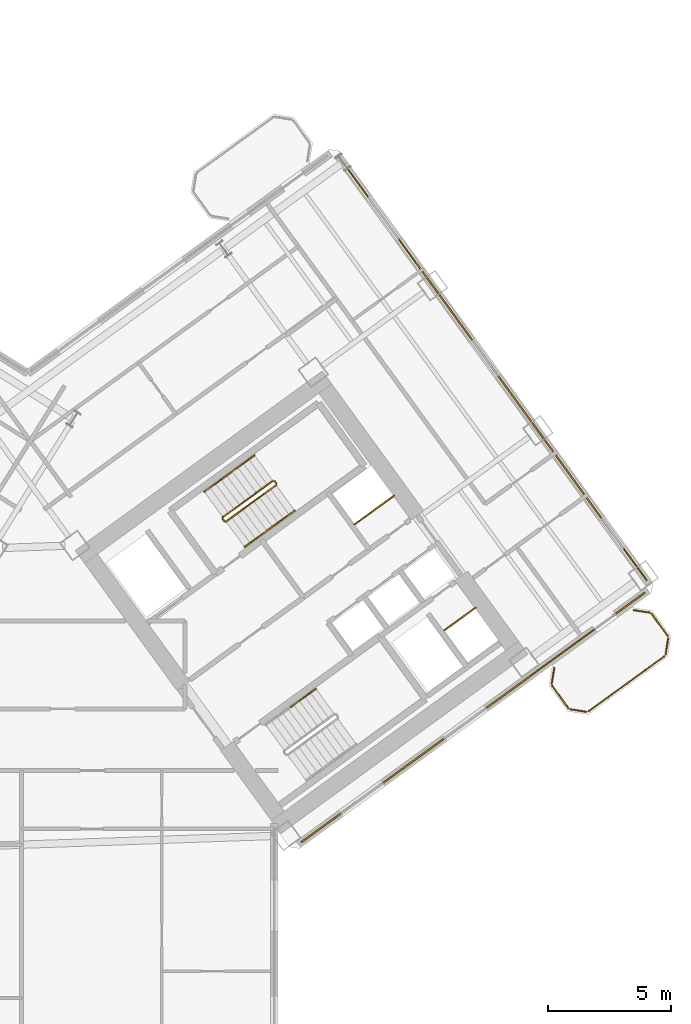
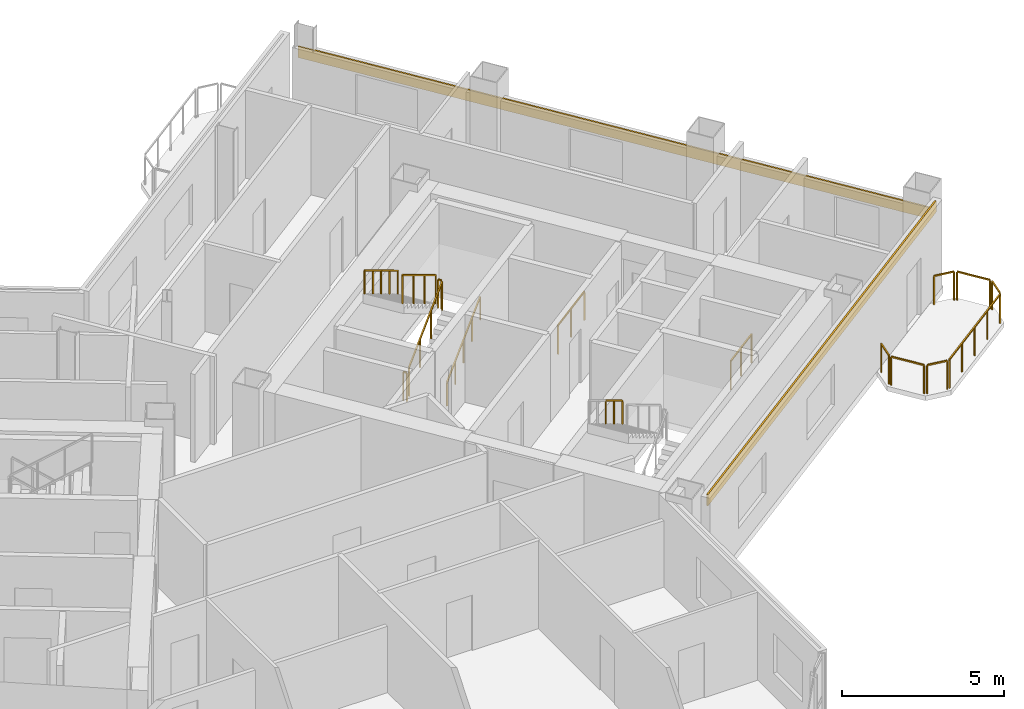
# One storey, part 21 of 22: 18 railings, 2 coverings.
"""IFC4 building model written with IfcOpenShell, lengths in metres."""

from ifc_helpers import new_model, si_unit, direction, frame, origin, origin_2d, place, context, subcontext, project, spatial, rectangle, extrude, source, transform, mapped, material, layer, layer_set, type_object, element, save


model = new_model("IFC4")

# Units and contexts
model_context = context("Model", 3, precision=1e-05, world=origin(), true_north=direction((0.0, 1.0)))
body_context = subcontext(model_context, "Body", "Model", "MODEL_VIEW")
ifc_project = project(units=[si_unit("LENGTHUNIT", "METRE"), si_unit("AREAUNIT", "SQUARE_METRE"), si_unit("VOLUMEUNIT", "CUBIC_METRE"), si_unit("PLANEANGLEUNIT", "RADIAN"), si_unit("MASSUNIT", "GRAM", prefix="KILO")], contexts=[model_context])

# Site, building, storey
site_placement = place(None, origin())
site = spatial("IfcSite", under=ifc_project, at=site_placement, CompositionType="ELEMENT")
building_placement = place(site_placement, origin())
building = spatial("IfcBuilding", under=site, at=building_placement, Name="Tlacorven Tower", CompositionType="ELEMENT")
storey_placement = place(building_placement, frame((0.0, 0.0, 97.199951171875)))
storey = spatial("IfcBuildingStorey", under=building, at=storey_placement, Name="L24", CompositionType="ELEMENT", Elevation=97.199951171875)

# Railings
ifc_material_1 = material(Name="Aluminium and painted steel balustrade", Category="steel")
railing_type_1 = type_object("IfcRailingType", Name="RL-GRD-1100", PredefinedType="GUARDRAIL", material=ifc_material_1)
shared_shape_1 = source(origin(), body_context, "Body", "SweptSolid", [
    extrude(rectangle(XDim=0.048095703125, YDim=0.048095703125, at=origin_2d()), frame((0.0, 0.0, 1.076171875), z_axis=(0.808947177504, 0.587881334972, 0.0), x_axis=(-0.587881334972, 0.808947177504, 0.0)), (0.0, 0.0, 1.0), 2.0),
    extrude(rectangle(XDim=0.0419921875, YDim=0.0419921875, at=origin_2d()), origin(), (0.0, 0.0, 1.0), 1.052001953125),
    extrude(rectangle(XDim=0.0419921875, YDim=0.0419921875, at=origin_2d()), frame((0.80908203125, 0.587890625, 0.0)), (0.0, 0.0, 1.0), 1.052001953125),
    extrude(rectangle(XDim=0.0419921875, YDim=0.0419921875, at=origin_2d()), frame((1.617919921875, 1.17578125, 0.0)), (0.0, 0.0, 1.0), 1.052001953125),
])
railing_1_placement = place(storey_placement, frame((55.506103515625, 25.438232421875, 0.0)))
element("IfcRailing", 1, at=railing_1_placement, inside=storey, type_object=railing_type_1, Name="L24 Electrical Riser E Shaft Guard 1", PredefinedType="GUARDRAIL", context=body_context, shape_type="MappedRepresentation", body=[
    mapped(shared_shape_1, transform((0.0, 0.0, 0.0), scale=1.0)),
])
shared_shape_2 = source(origin(), body_context, "Body", "SweptSolid", [
    extrude(rectangle(XDim=0.048095703125, YDim=0.048095703125, at=origin_2d()), frame((0.0, 0.0, 1.076171875), z_axis=(0.809029975545, 0.58776738483, 0.0), x_axis=(-0.58776738483, 0.809029975545, 0.0)), (0.0, 0.0, 1.0), 1.580078125),
    extrude(rectangle(XDim=0.0419921875, YDim=0.0419921875, at=origin_2d()), origin(), (0.0, 0.0, 1.0), 1.052001953125),
    extrude(rectangle(XDim=0.0419921875, YDim=0.0419921875, at=origin_2d()), frame((0.63916015625, 0.46435546875, 0.0)), (0.0, 0.0, 1.0), 1.052001953125),
    extrude(rectangle(XDim=0.0419921875, YDim=0.0419921875, at=origin_2d()), frame((1.2783203125, 0.9287109375, 0.0)), (0.0, 0.0, 1.0), 1.052001953125),
])
railing_2_placement = place(storey_placement, frame((59.160888671875, 21.122314453125, 0.0)))
element("IfcRailing", 2, at=railing_2_placement, inside=storey, type_object=railing_type_1, Name="L24 Smoke Riser E Shaft Guard 1", PredefinedType="GUARDRAIL", context=body_context, shape_type="MappedRepresentation", body=[
    mapped(shared_shape_2, transform((0.0, 0.0, 0.0), scale=1.0)),
])
railing_type_2 = type_object("IfcRailingType", Name="RL-BAL-1100", PredefinedType="BALUSTRADE", material=ifc_material_1)
shared_shape_3 = source(origin(), body_context, "Body", "SweptSolid", [
    extrude(rectangle(XDim=0.048095703125, YDim=0.048095703125, at=origin_2d()), frame((0.0, 0.0, 1.076171875), z_axis=(0.156602868908, 0.987661653326, 0.0), x_axis=(-0.987661653326, 0.156602868908, 0.0)), (0.0, 0.0, 1.0), 0.665771484375),
    extrude(rectangle(XDim=0.0419921875, YDim=0.0419921875, at=origin_2d()), origin(), (0.0, 0.0, 1.0), 1.052001953125),
    extrude(rectangle(XDim=0.0419921875, YDim=0.0419921875, at=origin_2d()), frame((0.104248046875, 0.657470703125, 0.0)), (0.0, 0.0, 1.0), 1.052001953125),
])
railing_3_placement = place(storey_placement, frame((63.539306640625, 18.949951171875, 0.0)))
element("IfcRailing", 3, at=railing_3_placement, inside=storey, type_object=railing_type_2, Name="BAL-L24-E-OUT Guard Railing 3", PredefinedType="BALUSTRADE", context=body_context, shape_type="MappedRepresentation", body=[
    mapped(shared_shape_3, transform((0.0, 0.0, 0.0), scale=1.0)),
])
shared_shape_4 = source(origin(), body_context, "Body", "SweptSolid", [
    extrude(rectangle(XDim=0.048095703125, YDim=0.048095703125, at=origin_2d()), frame((0.0, 0.0, 1.076171875), z_axis=(0.58788449985, -0.808944877501, 0.0), x_axis=(0.808944877501, 0.58788449985, 0.0)), (0.0, 0.0, 1.0), 1.112060546875),
    extrude(rectangle(XDim=0.0419921875, YDim=0.0419921875, at=origin_2d()), origin(), (0.0, 0.0, 1.0), 1.052001953125),
    extrude(rectangle(XDim=0.0419921875, YDim=0.0419921875, at=origin_2d()), frame((0.65380859375, -0.899658203125, 0.0)), (0.0, 0.0, 1.0), 1.052001953125),
])
railing_4_placement = place(storey_placement, frame((67.60595703125, 21.799072265625, 0.0)))
element("IfcRailing", 4, at=railing_4_placement, inside=storey, type_object=railing_type_2, Name="BAL-L24-E-OUT Guard Railing 5", PredefinedType="BALUSTRADE", context=body_context, shape_type="MappedRepresentation", body=[
    mapped(shared_shape_4, transform((0.0, 0.0, 0.0), scale=1.0)),
])
shared_shape_5 = source(origin(), body_context, "Body", "SweptSolid", [
    extrude(rectangle(XDim=0.048095703125, YDim=0.048095703125, at=origin_2d()), frame((0.0, 0.0, 1.076171875), z_axis=(-0.809018102573, -0.587783726986, 0.0), x_axis=(0.587783726986, -0.809018102573, 0.0)), (0.0, 0.0, 1.0), 3.817138671875),
    extrude(rectangle(XDim=0.0419921875, YDim=0.0419921875, at=origin_2d()), origin(), (0.0, 0.0, 1.0), 1.052001953125),
    extrude(rectangle(XDim=0.0419921875, YDim=0.0419921875, at=origin_2d()), frame((-0.77197265625, -0.56103515625, 0.0)), (0.0, 0.0, 1.0), 1.052001953125),
    extrude(rectangle(XDim=0.0419921875, YDim=0.0419921875, at=origin_2d()), frame((-1.5439453125, -1.121826171875, 0.0)), (0.0, 0.0, 1.0), 1.052001953125),
    extrude(rectangle(XDim=0.0419921875, YDim=0.0419921875, at=origin_2d()), frame((-2.316162109375, -1.6826171875, 0.0)), (0.0, 0.0, 1.0), 1.052001953125),
    extrude(rectangle(XDim=0.0419921875, YDim=0.0419921875, at=origin_2d()), frame((-3.088134765625, -2.24365234375, 0.0)), (0.0, 0.0, 1.0), 1.052001953125),
])
railing_5_placement = place(storey_placement, frame((68.12890625, 20.0732421875, 0.0)))
element("IfcRailing", 5, at=railing_5_placement, inside=storey, type_object=railing_type_2, Name="BAL-L24-E-OUT Guard Railing 7", PredefinedType="BALUSTRADE", context=body_context, shape_type="MappedRepresentation", body=[
    mapped(shared_shape_5, transform((0.0, 0.0, 0.0), scale=1.0)),
])
shared_shape_6 = source(origin(), body_context, "Body", "SweptSolid", [
    extrude(rectangle(XDim=0.048095703125, YDim=0.048095703125, at=origin_2d()), frame((0.0, 0.0, 1.076171875), z_axis=(-0.987718317463, 0.156245081039, 0.0), x_axis=(-0.156245081039, -0.987718317463, 0.0)), (0.0, 0.0, 1.0), 0.66552734375),
    extrude(rectangle(XDim=0.0419921875, YDim=0.0419921875, at=origin_2d()), origin(), (0.0, 0.0, 1.0), 1.052001953125),
    extrude(rectangle(XDim=0.0419921875, YDim=0.0419921875, at=origin_2d()), frame((-0.657470703125, 0.10400390625, 0.0)), (0.0, 0.0, 1.0), 1.052001953125),
])
railing_6_placement = place(storey_placement, frame((64.950927734375, 17.80810546875, 0.0)))
element("IfcRailing", 6, at=railing_6_placement, inside=storey, type_object=railing_type_2, Name="BAL-L24-E-OUT Guard Railing 1", PredefinedType="BALUSTRADE", context=body_context, shape_type="MappedRepresentation", body=[
    mapped(shared_shape_6, transform((0.0, 0.0, 0.0), scale=1.0)),
])
shared_shape_7 = source(origin(), body_context, "Body", "SweptSolid", [
    extrude(rectangle(XDim=0.048095703125, YDim=0.048095703125, at=origin_2d()), frame((0.0, 0.0, 1.076171875), z_axis=(-0.587740817519, 0.809049276263, 0.0), x_axis=(-0.809049276263, -0.587740817519, 0.0)), (0.0, 0.0, 1.0), 1.112060546875),
    extrude(rectangle(XDim=0.0419921875, YDim=0.0419921875, at=origin_2d()), origin(), (0.0, 0.0, 1.0), 1.052001953125),
    extrude(rectangle(XDim=0.0419921875, YDim=0.0419921875, at=origin_2d()), frame((-0.653564453125, 0.899658203125, 0.0)), (0.0, 0.0, 1.0), 1.052001953125),
])
railing_7_placement = place(storey_placement, frame((64.214599609375, 17.96044921875, 0.0)))
element("IfcRailing", 7, at=railing_7_placement, inside=storey, type_object=railing_type_2, Name="BAL-L24-E-OUT Guard Railing 2", PredefinedType="BALUSTRADE", context=body_context, shape_type="MappedRepresentation", body=[
    mapped(shared_shape_7, transform((0.0, 0.0, 0.0), scale=1.0)),
])
shared_shape_8 = source(origin(), body_context, "Body", "SweptSolid", [
    extrude(rectangle(XDim=0.048095703125, YDim=0.048095703125, at=origin_2d()), frame((0.0, 0.0, 1.076171875), z_axis=(-0.156245081039, -0.987718317463, 0.0), x_axis=(0.987718317463, -0.156245081039, 0.0)), (0.0, 0.0, 1.0), 0.66552734375),
    extrude(rectangle(XDim=0.0419921875, YDim=0.0419921875, at=origin_2d()), origin(), (0.0, 0.0, 1.0), 1.052001953125),
    extrude(rectangle(XDim=0.0419921875, YDim=0.0419921875, at=origin_2d()), frame((-0.10400390625, -0.657470703125, 0.0)), (0.0, 0.0, 1.0), 1.052001953125),
])
railing_8_placement = place(storey_placement, frame((68.28125, 20.8095703125, 0.0)))
element("IfcRailing", 8, at=railing_8_placement, inside=storey, type_object=railing_type_2, Name="BAL-L24-E-OUT Guard Railing 6", PredefinedType="BALUSTRADE", context=body_context, shape_type="MappedRepresentation", body=[
    mapped(shared_shape_8, transform((0.0, 0.0, 0.0), scale=1.0)),
])

# Coverings
ifc_material_2 = material(Name="Precast concrete C45/55", Category="concrete")
ifc_layer = layer(ifc_material_2, 0.06005859375)
ifc_layer_set = layer_set([ifc_layer], Name="Precast concrete C45/55")
covering_type = type_object("IfcCoveringType", Name="CV-CLD-TERC", PredefinedType="CLADDING", material=ifc_layer_set)
shared_shape_9 = source(origin(), body_context, "Body", "SweptSolid", [
    extrude(rectangle(XDim=21.287353515625, YDim=0.06005859375, at=origin_2d()), origin(), (0.0, 0.0, 1.0), 0.419921875),
])
covering_1_placement = place(storey_placement, frame((61.15478515625, 31.767333984375, 2.3251953125), z_axis=(0.0, 0.0, 1.0), x_axis=(0.587785363163, -0.809016913823, 0.0)))
element("IfcCovering", 9, at=covering_1_placement, inside=storey, type_object=covering_type, Name="L24 Masonry-Frame Spandrel Cladding 5", PredefinedType="CLADDING", context=body_context, shape_type="MappedRepresentation", body=[
    mapped(shared_shape_9, transform((0.0, 0.0, 0.0), scale=1.0)),
])
shared_shape_10 = source(origin(), body_context, "Body", "SweptSolid", [
    extrude(rectangle(XDim=17.287353515625, YDim=0.06005859375, at=origin_2d()), origin(), (0.0, 0.0, 1.0), 0.419921875),
])
covering_2_placement = place(storey_placement, frame((60.339111328125, 17.578125, 2.900146484375), z_axis=(0.0, 0.0, 1.0), x_axis=(-0.809016829126, -0.587785479738, 0.0)))
element("IfcCovering", 10, at=covering_2_placement, inside=storey, type_object=covering_type, Name="L24 Masonry-Frame Spandrel Cladding 6", PredefinedType="CLADDING", context=body_context, shape_type="MappedRepresentation", body=[
    mapped(shared_shape_10, transform((0.0, 0.0, 0.0), scale=1.0)),
])

# Railings
shared_shape_11 = source(origin(), body_context, "Body", "SweptSolid", [
    extrude(rectangle(XDim=0.048095703125, YDim=0.048095703125, at=origin_2d()), frame((0.0, 0.0, 1.076171875), z_axis=(0.987727266442, -0.156188498702, 0.0), x_axis=(0.156188498702, 0.987727266442, 0.0)), (0.0, 0.0, 1.0), 0.665771484375),
    extrude(rectangle(XDim=0.0419921875, YDim=0.0419921875, at=origin_2d()), origin(), (0.0, 0.0, 1.0), 1.052001953125),
    extrude(rectangle(XDim=0.0419921875, YDim=0.0419921875, at=origin_2d()), frame((0.65771484375, -0.10400390625, 0.0)), (0.0, 0.0, 1.0), 1.052001953125),
])
railing_9_placement = place(storey_placement, frame((66.86962890625, 21.951416015625, 0.0)))
element("IfcRailing", 11, at=railing_9_placement, inside=storey, type_object=railing_type_2, Name="BAL-L24-E-OUT Guard Railing 4", PredefinedType="BALUSTRADE", context=body_context, shape_type="MappedRepresentation", body=[
    mapped(shared_shape_11, transform((0.0, 0.0, 0.0), scale=1.0)),
])
shared_shape_12 = source(origin(), body_context, "Body", "SweptSolid", [
    extrude(rectangle(XDim=0.048095703125, YDim=0.048095703125, at=origin_2d()), frame((0.0, 0.0, 1.076171875), z_axis=(-0.587201422542, 0.809440849824, 0.0), x_axis=(-0.809440849824, -0.587201422542, 0.0)), (0.0, 0.0, 1.0), 0.11962890625),
    extrude(rectangle(XDim=0.0419921875, YDim=0.0419921875, at=origin_2d()), origin(), (0.0, 0.0, 1.0), 1.052001953125),
    extrude(rectangle(XDim=0.0419921875, YDim=0.0419921875, at=origin_2d()), frame((-0.0703125, 0.096923828125, 0.0)), (0.0, 0.0, 1.0), 1.052001953125),
])
for number, where, name in (
    (12, (52.326904296875, 27.10888671875, 1.800048828125), "L24 ST-E1 stair guard 2"),
    (13, (50.207275390625, 25.56884765625, 0.0), "L24 ST-E1 stair guard 4"),
):
    element("IfcRailing", number, at=place(storey_placement, frame(where)), inside=storey, type_object=railing_type_1, Name=name, PredefinedType="GUARDRAIL", context=body_context, shape_type="MappedRepresentation", body=[
        mapped(shared_shape_12, transform((0.0, 0.0, 0.0), scale=1.0)),
    ])
shared_shape_13 = source(origin(), body_context, "Body", "SweptSolid", [
    extrude(rectangle(XDim=0.048095703125, YDim=0.048095703125, at=origin_2d()), frame((0.0, 0.0, 1.076171875), z_axis=(0.680488636597, 0.494434078831, 0.540805100894), x_axis=(-0.5878087079, 0.808999952359, 0.0)), (0.0, 0.0, 1.0), 2.995849609375),
    extrude(rectangle(XDim=0.0419921875, YDim=0.0419921875, at=origin_2d()), origin(), (0.0, 0.0, 1.0), 1.052001953125),
    extrude(rectangle(XDim=0.0419921875, YDim=0.0419921875, at=origin_2d()), frame((0.679443359375, 0.49365234375, 0.5400390625)), (0.0, 0.0, 1.0), 1.052001953125),
    extrude(rectangle(XDim=0.0419921875, YDim=0.0419921875, at=origin_2d()), frame((1.359130859375, 0.987548828125, 1.080078125)), (0.0, 0.0, 1.0), 1.052001953125),
    extrude(rectangle(XDim=0.0419921875, YDim=0.0419921875, at=origin_2d()), frame((2.03857421875, 1.481201171875, 1.6201171875)), (0.0, 0.0, 1.0), 1.052001953125),
])
railing_10_placement = place(storey_placement, frame((50.27734375, 25.557861328125, 0.179931640625)))
element("IfcRailing", 14, at=railing_10_placement, inside=storey, type_object=railing_type_1, Name="L24 ST-E1 stair guard 1", PredefinedType="GUARDRAIL", context=body_context, shape_type="MappedRepresentation", body=[
    mapped(shared_shape_13, transform((0.0, 0.0, 0.0), scale=1.0)),
])
shared_shape_14 = source(origin(), body_context, "Body", "SweptSolid", [
    extrude(rectangle(XDim=0.048095703125, YDim=0.048095703125, at=origin_2d()), frame((0.0, 0.0, 1.076171875), z_axis=(-0.680488636597, -0.494434078831, 0.540805100894), x_axis=(0.5878087079, -0.808999952359, 0.0)), (0.0, 0.0, 1.0), 2.995849609375),
    extrude(rectangle(XDim=0.0419921875, YDim=0.0419921875, at=origin_2d()), origin(), (0.0, 0.0, 1.0), 1.052001953125),
    extrude(rectangle(XDim=0.0419921875, YDim=0.0419921875, at=origin_2d()), frame((-0.679443359375, -0.49365234375, 0.5400390625)), (0.0, 0.0, 1.0), 1.052001953125),
    extrude(rectangle(XDim=0.0419921875, YDim=0.0419921875, at=origin_2d()), frame((-1.359130859375, -0.987548828125, 1.080078125)), (0.0, 0.0, 1.0), 1.052001953125),
    extrude(rectangle(XDim=0.0419921875, YDim=0.0419921875, at=origin_2d()), frame((-2.03857421875, -1.481201171875, 1.6201171875)), (0.0, 0.0, 1.0), 1.052001953125),
])
railing_11_placement = place(storey_placement, frame((52.1865234375, 27.217041015625, 1.97998046875)))
element("IfcRailing", 15, at=railing_11_placement, inside=storey, type_object=railing_type_1, Name="L24 ST-E1 stair guard 3", PredefinedType="GUARDRAIL", context=body_context, shape_type="MappedRepresentation", body=[
    mapped(shared_shape_14, transform((0.0, 0.0, 0.0), scale=1.0)),
])
railing_type_3 = type_object("IfcRailingType", Name="RL-HND-0900", PredefinedType="HANDRAIL", material=ifc_material_1)
shared_shape_15 = source(origin(), body_context, "Body", "SweptSolid", [
    extrude(rectangle(XDim=0.048095703125, YDim=0.048095703125, at=origin_2d()), frame((0.0, 0.0, 0.8759765625), z_axis=(0.680516055757, 0.494372502302, 0.540826891737), x_axis=(-0.587745292299, 0.809046025502, 0.0)), (0.0, 0.0, 1.0), 1.497802734375),
    extrude(rectangle(XDim=0.0419921875, YDim=0.0419921875, at=origin_2d()), origin(), (0.0, 0.0, 1.0), 0.851806640625),
    extrude(rectangle(XDim=0.0419921875, YDim=0.0419921875, at=origin_2d()), frame((0.509765625, 0.3701171875, 0.405029296875)), (0.0, 0.0, 1.0), 0.851806640625),
    extrude(rectangle(XDim=0.0419921875, YDim=0.0419921875, at=origin_2d()), frame((1.019287109375, 0.740478515625, 0.81005859375)), (0.0, 0.0, 1.0), 0.851806640625),
])
railing_12_placement = place(storey_placement, frame((51.029541015625, 24.522216796875, 0.179931640625)))
element("IfcRailing", 16, at=railing_12_placement, inside=storey, type_object=railing_type_3, Name="L24 ST-E1 stair handrail 1", PredefinedType="HANDRAIL", context=body_context, shape_type="MappedRepresentation", body=[
    mapped(shared_shape_15, transform((0.0, 0.0, 0.0), scale=1.0)),
])
shared_shape_16 = source(origin(), body_context, "Body", "SweptSolid", [
    extrude(rectangle(XDim=0.048095703125, YDim=0.048095703125, at=origin_2d()), frame((0.0, 0.0, 0.8759765625), z_axis=(0.680548719995, 0.49444080854, 0.540723336433), x_axis=(-0.587779977844, 0.80902082646, 0.0)), (0.0, 0.0, 1.0), 1.498046875),
    extrude(rectangle(XDim=0.0419921875, YDim=0.0419921875, at=origin_2d()), origin(), (0.0, 0.0, 1.0), 0.851806640625),
    extrude(rectangle(XDim=0.0419921875, YDim=0.0419921875, at=origin_2d()), frame((0.509765625, 0.370361328125, 0.405029296875)), (0.0, 0.0, 1.0), 0.851806640625),
    extrude(rectangle(XDim=0.0419921875, YDim=0.0419921875, at=origin_2d()), frame((1.01953125, 0.74072265625, 0.81005859375)), (0.0, 0.0, 1.0), 0.851806640625),
])
railing_13_placement = place(storey_placement, frame((52.048828125, 25.2626953125, 0.989990234375)))
element("IfcRailing", 17, at=railing_13_placement, inside=storey, type_object=railing_type_3, Name="L24 ST-E1 stair handrail 2", PredefinedType="HANDRAIL", context=body_context, shape_type="MappedRepresentation", body=[
    mapped(shared_shape_16, transform((0.0, 0.0, 0.0), scale=1.0)),
])
shared_shape_17 = source(origin(), body_context, "Body", "SweptSolid", [
    extrude(rectangle(XDim=0.048095703125, YDim=0.048095703125, at=origin_2d()), frame((0.0, 0.0, 0.8759765625), z_axis=(-0.680603554404, -0.494317667746, 0.540766904577), x_axis=(0.587653156371, -0.809112951205, 0.0)), (0.0, 0.0, 1.0), 1.498046875),
    extrude(rectangle(XDim=0.0419921875, YDim=0.0419921875, at=origin_2d()), origin(), (0.0, 0.0, 1.0), 0.851806640625),
    extrude(rectangle(XDim=0.0419921875, YDim=0.0419921875, at=origin_2d()), frame((-0.509765625, -0.3701171875, 0.405029296875)), (0.0, 0.0, 1.0), 0.851806640625),
    extrude(rectangle(XDim=0.0419921875, YDim=0.0419921875, at=origin_2d()), frame((-1.01953125, -0.740478515625, 0.81005859375)), (0.0, 0.0, 1.0), 0.851806640625),
])
railing_14_placement = place(storey_placement, frame((51.434326171875, 28.25244140625, 1.97998046875)))
element("IfcRailing", 18, at=railing_14_placement, inside=storey, type_object=railing_type_3, Name="L24 ST-E1 stair handrail 3", PredefinedType="HANDRAIL", context=body_context, shape_type="MappedRepresentation", body=[
    mapped(shared_shape_17, transform((0.0, 0.0, 0.0), scale=1.0)),
])
shared_shape_18 = source(origin(), body_context, "Body", "SweptSolid", [
    extrude(rectangle(XDim=0.048095703125, YDim=0.048095703125, at=origin_2d()), frame((0.0, 0.0, 0.8759765625), z_axis=(-0.680461216233, -0.494495647917, 0.540783309093), x_axis=(0.587872112667, -0.808953879494, 0.0)), (0.0, 0.0, 1.0), 1.498046875),
    extrude(rectangle(XDim=0.0419921875, YDim=0.0419921875, at=origin_2d()), origin(), (0.0, 0.0, 1.0), 0.851806640625),
    extrude(rectangle(XDim=0.0419921875, YDim=0.0419921875, at=origin_2d()), frame((-0.509765625, -0.370361328125, 0.405029296875)), (0.0, 0.0, 1.0), 0.851806640625),
    extrude(rectangle(XDim=0.0419921875, YDim=0.0419921875, at=origin_2d()), frame((-1.019287109375, -0.74072265625, 0.81005859375)), (0.0, 0.0, 1.0), 0.851806640625),
])
railing_15_placement = place(storey_placement, frame((50.414794921875, 27.511962890625, 2.7900390625)))
element("IfcRailing", 19, at=railing_15_placement, inside=storey, type_object=railing_type_3, Name="L24 ST-E1 stair handrail 4", PredefinedType="HANDRAIL", context=body_context, shape_type="MappedRepresentation", body=[
    mapped(shared_shape_18, transform((0.0, 0.0, 0.0), scale=1.0)),
])
shared_shape_19 = source(origin(), body_context, "Body", "SweptSolid", [
    extrude(rectangle(XDim=0.048095703125, YDim=0.048095703125, at=origin_2d()), frame((0.0, 0.0, 0.8759765625), z_axis=(-0.680516055757, -0.494372502302, 0.540826891737), x_axis=(0.587745292299, -0.809046025502, 0.0)), (0.0, 0.0, 1.0), 1.497802734375),
    extrude(rectangle(XDim=0.0419921875, YDim=0.0419921875, at=origin_2d()), origin(), (0.0, 0.0, 1.0), 0.851806640625),
    extrude(rectangle(XDim=0.0419921875, YDim=0.0419921875, at=origin_2d()), frame((-0.509765625, -0.3701171875, 0.405029296875)), (0.0, 0.0, 1.0), 0.851806640625),
    extrude(rectangle(XDim=0.0419921875, YDim=0.0419921875, at=origin_2d()), frame((-1.019287109375, -0.740478515625, 0.81005859375)), (0.0, 0.0, 1.0), 0.851806640625),
])
railing_16_placement = place(storey_placement, frame((53.938232421875, 18.749267578125, 1.97998046875)))
element("IfcRailing", 20, at=railing_16_placement, inside=storey, type_object=railing_type_3, Name="L24 ST-E2 stair handrail 3", PredefinedType="HANDRAIL", context=body_context, shape_type="MappedRepresentation", body=[
    mapped(shared_shape_19, transform((0.0, 0.0, 0.0), scale=1.0)),
])

save(model, "model.ifc")
